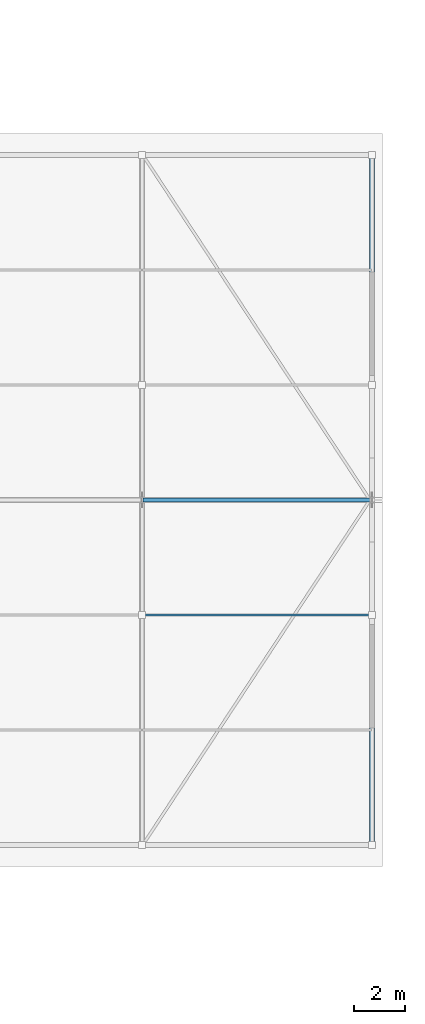
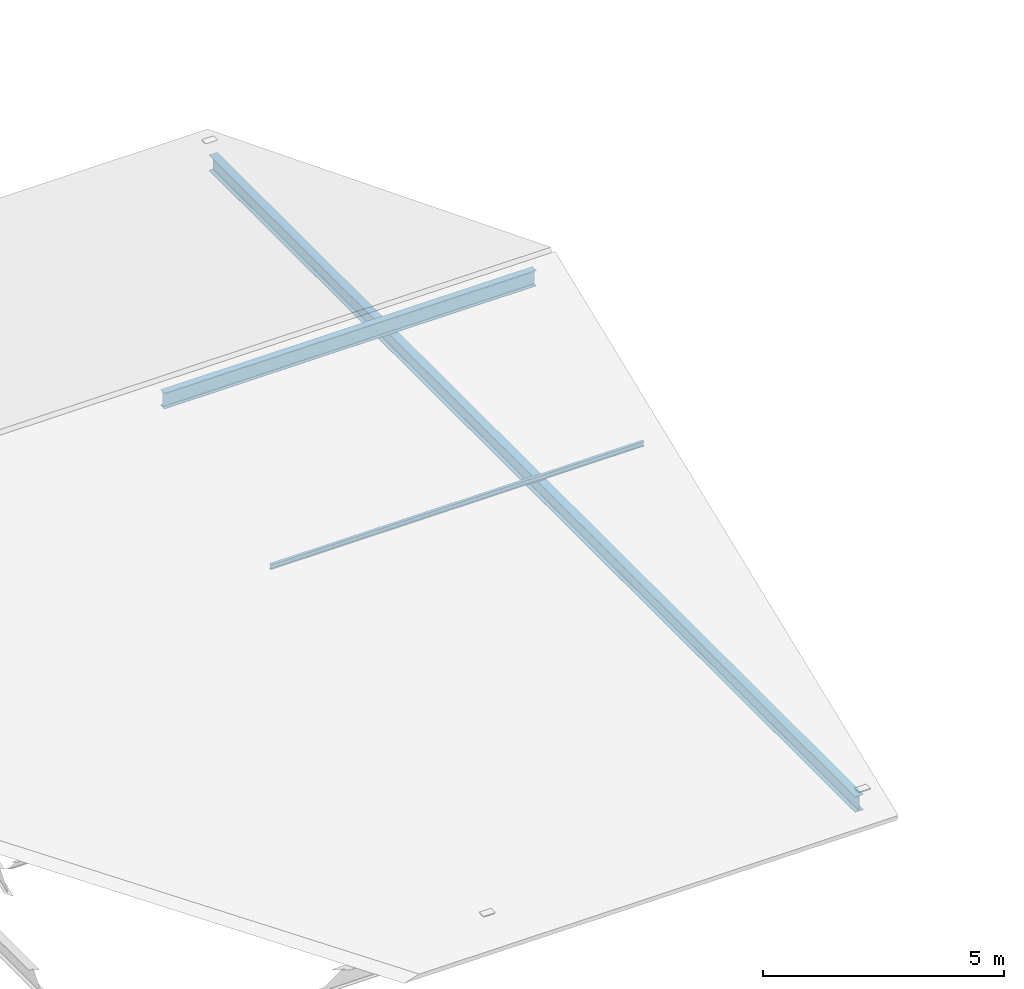
# One storey, part 77 of 132: 2 members, 1 beam.
"""IFC4 building model written with IfcOpenShell, lengths in metres."""

from ifc_helpers import new_model, si_unit, direction, frame, origin, origin_2d, place, context, subcontext, project, spatial, i_section, extrude, material, material_profile, profile_set, type_object, element, save


model = new_model("IFC4")

# Units and contexts
model_context = context("Model", 3, precision=1e-05, world=origin(), true_north=direction((0.0, 1.0)))
body_context = subcontext(model_context, "Body", "Model", "MODEL_VIEW")
ifc_project = project(units=[si_unit("LENGTHUNIT", "METRE"), si_unit("AREAUNIT", "SQUARE_METRE"), si_unit("VOLUMEUNIT", "CUBIC_METRE"), si_unit("PLANEANGLEUNIT", "RADIAN"), si_unit("MASSUNIT", "GRAM", prefix="KILO")], contexts=[model_context])

# Site, building, storey
site_placement = place(None, origin())
site = spatial("IfcSite", under=ifc_project, at=site_placement, CompositionType="ELEMENT")
building_placement = place(site_placement, origin())
building = spatial("IfcBuilding", under=site, at=building_placement, Name="Tharagai Park Tramway Depot", CompositionType="ELEMENT")
storey_placement = place(building_placement, frame((0.0, 0.0, 4.800048828125)))
storey = spatial("IfcBuildingStorey", under=building, at=storey_placement, Name="L01", CompositionType="ELEMENT", Elevation=4.800048828125)

# Beam
ifc_material_1 = material(Name="Steel E350", Category="steel")
ifc_material_profile_1 = material_profile(ifc_material_1, i_section(OverallWidth=0.199951171875, OverallDepth=0.39990234375, WebThickness=0.008544921875, FlangeThickness=0.012939453125, FilletRadius=0.013916015625, at=origin_2d()), Name="ISWB 400")
ifc_profile_set_1 = profile_set([ifc_material_profile_1], Name="Steel E350")
beam_type = type_object("IfcBeamType", Name="BM-05", PredefinedType="BEAM", material=ifc_profile_set_1)
beam_placement = place(storey_placement, frame((216.0, 54.080078125, -0.449951171875), z_axis=(0.0, 1.0, 0.0), x_axis=(-1.0, 0.0, 0.0)))
element("IfcBeam", 1, at=beam_placement, inside=storey, type_object=beam_type, Name="V6 Gable Tie Girder BM-05", PredefinedType="BEAM", context=body_context, shape_type="SweptSolid", body=[
    extrude(i_section(OverallWidth=0.199951171875, OverallDepth=0.39990234375, WebThickness=0.008544921875, FlangeThickness=0.012939453125, FilletRadius=0.013916015625, at=origin_2d()), origin(), (0.0, 0.0, 1.0), 26.83984375),
])

# Members
ifc_material_2 = material(Name="Steel E250", Category="steel")
ifc_material_profile_2 = material_profile(ifc_material_2, i_section(OverallWidth=0.070068359375, OverallDepth=0.125, WebThickness=0.00439453125, FlangeThickness=0.007080078125, FilletRadius=0.008056640625, at=origin_2d()), Name="ISMB 125")
ifc_profile_set_2 = profile_set([ifc_material_profile_2], Name="Steel E250")
member_type_1 = type_object("IfcMemberType", Name="PR-06", PredefinedType="PURLIN", material=ifc_profile_set_2)
member_1_placement = place(storey_placement, frame((207.02001953125, 63.0, 3.284912109375), z_axis=(1.0, 0.0, 0.0), x_axis=(0.0, 1.0, 0.0)))
element("IfcMember", 2, at=member_1_placement, inside=storey, type_object=member_type_1, Name="V6 Roof Purlin PR-06", PredefinedType="PURLIN", context=body_context, shape_type="SweptSolid", body=[
    extrude(i_section(OverallWidth=0.070068359375, OverallDepth=0.125, WebThickness=0.00439453125, FlangeThickness=0.007080078125, FilletRadius=0.008056640625, at=origin_2d()), origin(), (0.0, 0.0, 1.0), 8.9599609375),
])
ifc_material_profile_3 = material_profile(ifc_material_1, i_section(OverallWidth=0.1650390625, OverallDepth=0.39990234375, WebThickness=0.008056640625, FlangeThickness=0.012451171875, FilletRadius=0.013916015625, at=origin_2d()), Name="ISLB 400")
ifc_profile_set_3 = profile_set([ifc_material_profile_3], Name="Steel E350")
member_type_2 = type_object("IfcMemberType", Name="TC-04", PredefinedType="CHORD", material=ifc_profile_set_3)
member_2_placement = place(storey_placement, frame((207.0400390625, 67.5, 4.7900390625), z_axis=(1.0, 0.0, 0.0), x_axis=(0.0, 1.0, 0.0)))
element("IfcMember", 3, at=member_2_placement, inside=storey, type_object=member_type_2, Name="V6 Roof Ridge Chord TC-04", PredefinedType="CHORD", context=body_context, shape_type="SweptSolid", body=[
    extrude(i_section(OverallWidth=0.1650390625, OverallDepth=0.39990234375, WebThickness=0.008056640625, FlangeThickness=0.012451171875, FilletRadius=0.013916015625, at=origin_2d()), origin(), (0.0, 0.0, 1.0), 8.919921875),
])

save(model, "model.ifc")
